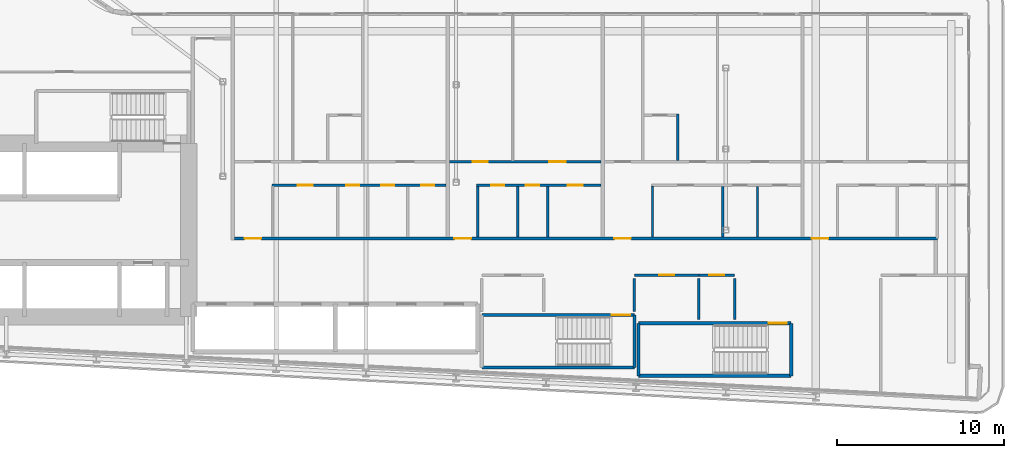
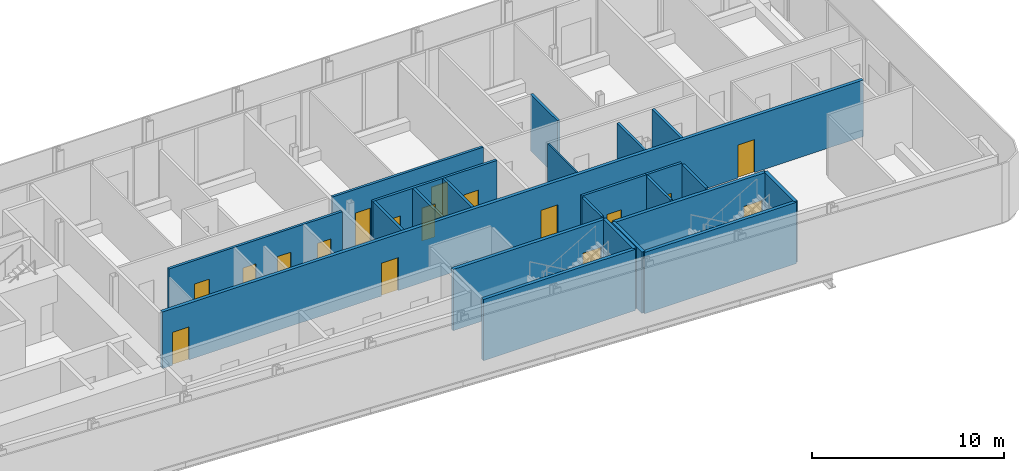
# One storey, part 14 of 27: 23 walls, 17 doors, 17 openings.
"""IFC4 building model written with IfcOpenShell, lengths in metres."""

from ifc_helpers import new_model, si_unit, direction, frame, frame_2d, origin, place, context, subcontext, project, spatial, rectangle, extrude, source, transform, mapped, material, layer, layer_set, type_object, element, fill, save


model = new_model("IFC4")

# Units and contexts
model_context = context("Model", 3, precision=1e-05, world=origin(), true_north=direction((0.0, 1.0)))
body_context = subcontext(model_context, "Body", "Model", "MODEL_VIEW")
ifc_project = project(units=[si_unit("LENGTHUNIT", "METRE"), si_unit("AREAUNIT", "SQUARE_METRE"), si_unit("VOLUMEUNIT", "CUBIC_METRE"), si_unit("PLANEANGLEUNIT", "RADIAN"), si_unit("MASSUNIT", "GRAM", prefix="KILO")], contexts=[model_context])

# Site, building, storey
site_placement = place(None, origin())
site = spatial("IfcSite", under=ifc_project, at=site_placement, CompositionType="ELEMENT")
building_placement = place(site_placement, origin())
building = spatial("IfcBuilding", under=site, at=building_placement, Name="Kheshtan School and Residences Tower", CompositionType="ELEMENT")
storey_placement = place(building_placement, frame((0.0, 0.0, 57.800048828125)))
storey = spatial("IfcBuildingStorey", under=building, at=storey_placement, Name="L13", CompositionType="ELEMENT", Elevation=57.800048828125)

# Wall, openings, doors
ifc_material_1 = material(Name="Gypsum board on steel studs with fire boards", Category="steel")
ifc_layer_1 = layer(ifc_material_1, 0.199951171875)
ifc_layer_set_1 = layer_set([ifc_layer_1], Name="Corridor wall 200")
wall_type_1 = type_object("IfcWallType", Name="Corridor wall 200", PredefinedType="PARTITIONING", material=ifc_layer_set_1)
wall_1_placement = place(storey_placement, frame((55.89990234375, 30.5, 0.0), z_axis=(0.0, 0.0, 1.0), x_axis=(1.0, 0.0, 0.0)))
wall_1 = element("IfcWall", 1, at=wall_1_placement, inside=storey, type_object=wall_type_1, Name="Partition L13-046", PredefinedType="PARTITIONING", context=body_context, shape_type="SweptSolid", body=[
    extrude(rectangle(XDim=42.2001953125, YDim=0.199951171875, at=frame_2d((21.10009765625, 0.0))), origin(), (0.0, 0.0, 1.0), 3.599853515625),
])
opening_1_placement = place(wall_1_placement, frame((0.60009765625, 0.0, 0.0)))
opening_1 = element("IfcOpeningElement", 2, at=opening_1_placement, cuts=wall_1, Name="Opening D12-005", PredefinedType="OPENING", context=body_context, shape_type="SweptSolid", body=[
    extrude(rectangle(XDim=1.0, YDim=2.10009765625, at=frame_2d((0.5, 1.050048828125))), frame((0.0, 0.10986328125, 0.0), z_axis=(0.0, -1.0, 0.0), x_axis=(1.0, 0.0, 0.0)), (0.0, 0.0, 1.0), 0.219970703125),
])
opening_2_placement = place(wall_1_placement, frame((13.199951171875, 0.0, 0.0)))
opening_2 = element("IfcOpeningElement", 3, at=opening_2_placement, cuts=wall_1, Name="Opening D12-012", PredefinedType="OPENING", context=body_context, shape_type="SweptSolid", body=[
    extrude(rectangle(XDim=1.0, YDim=2.10009765625, at=frame_2d((0.5, 1.050048828125))), frame((0.0, 0.10986328125, 0.0), z_axis=(0.0, -1.0, 0.0), x_axis=(1.0, 0.0, 0.0)), (0.0, 0.0, 1.0), 0.219970703125),
])
opening_3_placement = place(wall_1_placement, frame((22.800048828125, 0.0, 0.0)))
opening_3 = element("IfcOpeningElement", 4, at=opening_3_placement, cuts=wall_1, Name="Opening D12-019", PredefinedType="OPENING", context=body_context, shape_type="SweptSolid", body=[
    extrude(rectangle(XDim=1.0, YDim=2.10009765625, at=frame_2d((0.5, 1.050048828125))), frame((0.0, 0.10986328125, 0.0), z_axis=(0.0, -1.0, 0.0), x_axis=(1.0, 0.0, 0.0)), (0.0, 0.0, 1.0), 0.219970703125),
])
opening_4_placement = place(wall_1_placement, frame((34.64990234375, 0.0, 0.0)))
opening_4 = element("IfcOpeningElement", 5, at=opening_4_placement, cuts=wall_1, Name="Opening D12-026", PredefinedType="OPENING", context=body_context, shape_type="SweptSolid", body=[
    extrude(rectangle(XDim=1.0, YDim=2.10009765625, at=frame_2d((0.5, 1.050048828125))), frame((0.0, 0.10986328125, 0.0), z_axis=(0.0, -1.0, 0.0), x_axis=(1.0, 0.0, 0.0)), (0.0, 0.0, 1.0), 0.219970703125),
])
ifc_material_2 = material(Name="Steel-framed fire-resisting door leaf", Category="steel")
door_type_1 = type_object("IfcDoorType", Name="Fire door FD30S 1000 x 2100", OperationType="SINGLE_SWING_LEFT", PredefinedType="DOOR", material=ifc_material_2)
shared_shape_1 = source(origin(), body_context, "Body", "SweptSolid", [
    extrude(rectangle(XDim=1.0, YDim=2.10009765625, at=frame_2d((0.5, 1.050048828125))), frame((0.0, 0.02490234375, 0.0), z_axis=(0.0, -1.0, 0.0), x_axis=(1.0, 0.0, 0.0)), (0.0, 0.0, 1.0), 0.050048828125),
])
door_1_placement = place(opening_1_placement, origin())
door_1 = element("IfcDoor", 6, at=door_1_placement, inside=storey, type_object=door_type_1, Name="Door D12-005", OperationType="SINGLE_SWING_LEFT", OverallHeight=2.10009765625, OverallWidth=1.0, PredefinedType="DOOR", context=body_context, shape_type="MappedRepresentation", body=[
    mapped(shared_shape_1, transform((0.0, 0.0, 0.0), x_axis=(1.0, 0.0, 0.0), y_axis=(0.0, 1.0, 0.0), z_axis=(0.0, 0.0, 1.0), scale=1.0)),
])
fill(opening_1, door_1)
door_2_placement = place(opening_2_placement, origin())
door_2 = element("IfcDoor", 7, at=door_2_placement, inside=storey, type_object=door_type_1, Name="Door D12-012", OperationType="SINGLE_SWING_RIGHT", OverallHeight=2.10009765625, OverallWidth=1.0, PredefinedType="DOOR", context=body_context, shape_type="MappedRepresentation", body=[
    mapped(shared_shape_1, transform((0.0, 0.0, 0.0), x_axis=(1.0, 0.0, 0.0), y_axis=(0.0, 1.0, 0.0), z_axis=(0.0, 0.0, 1.0), scale=1.0)),
])
fill(opening_2, door_2)
door_3_placement = place(opening_3_placement, origin())
door_3 = element("IfcDoor", 8, at=door_3_placement, inside=storey, type_object=door_type_1, Name="Door D12-019", OperationType="SINGLE_SWING_LEFT", OverallHeight=2.10009765625, OverallWidth=1.0, PredefinedType="DOOR", context=body_context, shape_type="MappedRepresentation", body=[
    mapped(shared_shape_1, transform((0.0, 0.0, 0.0), x_axis=(1.0, 0.0, 0.0), y_axis=(0.0, 1.0, 0.0), z_axis=(0.0, 0.0, 1.0), scale=1.0)),
])
fill(opening_3, door_3)
door_4_placement = place(opening_4_placement, origin())
door_4 = element("IfcDoor", 9, at=door_4_placement, inside=storey, type_object=door_type_1, Name="Door D12-026", OperationType="SINGLE_SWING_RIGHT", OverallHeight=2.10009765625, OverallWidth=1.0, PredefinedType="DOOR", context=body_context, shape_type="MappedRepresentation", body=[
    mapped(shared_shape_1, transform((0.0, 0.0, 0.0), x_axis=(1.0, 0.0, 0.0), y_axis=(0.0, 1.0, 0.0), z_axis=(0.0, 0.0, 1.0), scale=1.0)),
])
fill(opening_4, door_4)

# Wall
ifc_material_3 = material(Name="Gypsum board on steel studs", Category="steel")
ifc_layer_2 = layer(ifc_material_3, 0.10009765625)
ifc_layer_set_2 = layer_set([ifc_layer_2], Name="Gypsum partition 100")
wall_type_2 = type_object("IfcWallType", Name="Gypsum partition 100", PredefinedType="PARTITIONING", material=ifc_layer_set_2)
wall_2_placement = place(storey_placement, frame((81.0, 30.60009765625, 0.0), z_axis=(0.0, 0.0, 1.0), x_axis=(0.0, 1.0, 0.0)))
element("IfcWall", 10, at=wall_2_placement, inside=storey, type_object=wall_type_2, Name="Partition L13-069", PredefinedType="PARTITIONING", context=body_context, shape_type="SweptSolid", body=[
    extrude(rectangle(XDim=3.02490234375, YDim=0.10009765625, at=frame_2d((1.512451171875, 0.0))), origin(), (0.0, 0.0, 1.0), 3.599853515625),
])

# Wall, opening, door
ifc_material_4 = material(Name="Fire-board shaft wall system")
ifc_layer_3 = layer(ifc_material_4, 0.14990234375)
ifc_layer_set_3 = layer_set([ifc_layer_3], Name="Service room wall 150")
wall_type_3 = type_object("IfcWallType", Name="Service room wall 150", PredefinedType="PARTITIONING", material=ifc_layer_set_3)
wall_3_placement = place(storey_placement, frame((79.909912109375, 28.300048828125, 0.0), z_axis=(0.0, 0.0, 1.0), x_axis=(1.0, 0.0, 0.0)))
wall_3 = element("IfcWall", 11, at=wall_3_placement, inside=storey, type_object=wall_type_3, Name="Service room wall", PredefinedType="PARTITIONING", context=body_context, shape_type="SweptSolid", body=[
    extrude(rectangle(XDim=3.864990234375, YDim=0.14990234375, at=frame_2d((1.9326171875, 0.0))), origin(), (0.0, 0.0, 1.0), 3.89990234375),
])
opening_5_placement = place(wall_3_placement, frame((1.48193359375, 0.0, 0.0)))
opening_5 = element("IfcOpeningElement", 12, at=opening_5_placement, cuts=wall_3, Name="Opening SR90", PredefinedType="OPENING", context=body_context, shape_type="SweptSolid", body=[
    extrude(rectangle(XDim=0.89990234375, YDim=2.199951171875, at=frame_2d((0.449951171875, 1.10009765625))), frame((0.0, 0.0849609375, 0.0), z_axis=(0.0, -1.0, 0.0), x_axis=(1.0, 0.0, 0.0)), (0.0, 0.0, 1.0), 0.169921875),
])
ifc_material_5 = material(Name="Steel door leaf, galvanised", Category="steel")
door_type_2 = type_object("IfcDoorType", Name="Service room door 900 steel 90 min", OperationType="SINGLE_SWING_LEFT", PredefinedType="DOOR", material=ifc_material_5)
shared_shape_2 = source(origin(), body_context, "Body", "SweptSolid", [
    extrude(rectangle(XDim=0.89990234375, YDim=2.199951171875, at=frame_2d((0.449951171875, 1.10009765625))), frame((0.0, 0.02490234375, 0.0), z_axis=(0.0, -1.0, 0.0), x_axis=(1.0, 0.0, 0.0)), (0.0, 0.0, 1.0), 0.050048828125),
])
door_5_placement = place(opening_5_placement, origin())
door_5 = element("IfcDoor", 13, at=door_5_placement, inside=storey, type_object=door_type_2, Name="Service room door", OperationType="SINGLE_SWING_RIGHT", OverallHeight=2.199951171875, OverallWidth=0.89990234375, PredefinedType="DOOR", context=body_context, shape_type="MappedRepresentation", body=[
    mapped(shared_shape_2, transform((0.0, 0.0, 0.0), x_axis=(1.0, 0.0, 0.0), y_axis=(0.0, 1.0, 0.0), z_axis=(0.0, 0.0, 1.0), scale=1.0)),
])
fill(opening_5, door_5)

# Walls
wall_4_placement = place(storey_placement, frame((79.909912109375, 26.1201171875, 0.0), z_axis=(0.0, 0.0, 1.0), x_axis=(0.0, 1.0, 0.0)))
element("IfcWall", 14, at=wall_4_placement, inside=storey, type_object=wall_type_3, Name="Service room wall", PredefinedType="PARTITIONING", context=body_context, shape_type="SweptSolid", body=[
    extrude(rectangle(XDim=1.98486328125, YDim=0.14990234375, at=frame_2d((0.992431640625, 0.0))), origin(), (0.0, 0.0, 1.0), 3.89990234375),
])
wall_5_placement = place(storey_placement, frame((83.77490234375, 25.6201171875, 0.0), z_axis=(0.0, 0.0, 1.0), x_axis=(0.0, 1.0, 0.0)))
element("IfcWall", 15, at=wall_5_placement, inside=storey, type_object=wall_type_3, Name="Service room wall", PredefinedType="PARTITIONING", context=body_context, shape_type="SweptSolid", body=[
    extrude(rectangle(XDim=2.48486328125, YDim=0.14990234375, at=frame_2d((1.242431640625, 0.0))), origin(), (0.0, 0.0, 1.0), 3.89990234375),
])

# Wall, opening, door
wall_6_placement = place(storey_placement, frame((83.77490234375, 28.300048828125, 0.0), z_axis=(0.0, 0.0, 1.0), x_axis=(1.0, 0.0, 0.0)))
wall_6 = element("IfcWall", 16, at=wall_6_placement, inside=storey, type_object=wall_type_3, Name="Service room wall", PredefinedType="PARTITIONING", context=body_context, shape_type="SweptSolid", body=[
    extrude(rectangle(XDim=2.14501953125, YDim=0.14990234375, at=frame_2d((1.072509765625, 0.0))), origin(), (0.0, 0.0, 1.0), 3.89990234375),
])
opening_6_placement = place(wall_6_placement, frame((0.623046875, 0.0, 0.0)))
opening_6 = element("IfcOpeningElement", 17, at=opening_6_placement, cuts=wall_6, Name="Opening SR90", PredefinedType="OPENING", context=body_context, shape_type="SweptSolid", body=[
    extrude(rectangle(XDim=0.89990234375, YDim=2.199951171875, at=frame_2d((0.449951171875, 1.10009765625))), frame((0.0, 0.0849609375, 0.0), z_axis=(0.0, -1.0, 0.0), x_axis=(1.0, 0.0, 0.0)), (0.0, 0.0, 1.0), 0.169921875),
])
door_6_placement = place(opening_6_placement, origin())
door_6 = element("IfcDoor", 18, at=door_6_placement, inside=storey, type_object=door_type_2, Name="Service room door", OperationType="SINGLE_SWING_LEFT", OverallHeight=2.199951171875, OverallWidth=0.89990234375, PredefinedType="DOOR", context=body_context, shape_type="MappedRepresentation", body=[
    mapped(shared_shape_2, transform((0.0, 0.0, 0.0), x_axis=(1.0, 0.0, 0.0), y_axis=(0.0, 1.0, 0.0), z_axis=(0.0, 0.0, 1.0), scale=1.0)),
])
fill(opening_6, door_6)

# Walls
wall_7_placement = place(storey_placement, frame((85.919921875, 25.6201171875, 0.0), z_axis=(0.0, 0.0, 1.0), x_axis=(0.0, 1.0, 0.0)))
element("IfcWall", 19, at=wall_7_placement, inside=storey, type_object=wall_type_3, Name="Service room wall", PredefinedType="PARTITIONING", context=body_context, shape_type="SweptSolid", body=[
    extrude(rectangle(XDim=2.48486328125, YDim=0.14990234375, at=frame_2d((1.242431640625, 0.0))), origin(), (0.0, 0.0, 1.0), 3.89990234375),
])
ifc_material_6 = material(Name="Concrete C40/50", Category="concrete")
ifc_layer_4 = layer(ifc_material_6, 0.199951171875)
ifc_layer_set_4 = layer_set([ifc_layer_4], Name="Stair enclosure wall 200 Concrete C40/50")
wall_type_4 = type_object("IfcWallType", Name="Stair enclosure wall 200 Concrete C40/50", PredefinedType="SHEAR", material=ifc_layer_set_4)
wall_8_placement = place(storey_placement, frame((80.159912109375, 22.25, 0.0), z_axis=(0.0, 0.0, 1.0), x_axis=(1.0, 0.0, 0.0)))
element("IfcWall", 20, at=wall_8_placement, inside=storey, type_object=wall_type_4, Name="Stair enclosure wall ST4", PredefinedType="SHEAR", context=body_context, shape_type="SweptSolid", body=[
    extrude(rectangle(XDim=9.16015625, YDim=0.199951171875, at=frame_2d((4.580078125, 0.0))), origin(), (0.0, 0.0, 1.0), 3.89990234375),
])

# Wall, opening, door
wall_9_placement = place(storey_placement, frame((80.159912109375, 25.39990234375, 0.0), z_axis=(0.0, 0.0, 1.0), x_axis=(1.0, 0.0, 0.0)))
wall_9 = element("IfcWall", 21, at=wall_9_placement, inside=storey, type_object=wall_type_4, Name="Stair enclosure wall ST4", PredefinedType="SHEAR", context=body_context, shape_type="SweptSolid", body=[
    extrude(rectangle(XDim=9.16015625, YDim=0.199951171875, at=frame_2d((4.580078125, 0.0))), origin(), (0.0, 0.0, 1.0), 3.89990234375),
])
opening_7_placement = place(wall_9_placement, frame((7.81005859375, 0.0, 0.0)))
opening_7 = element("IfcOpeningElement", 22, at=opening_7_placement, cuts=wall_9, Name="Opening ST4D", PredefinedType="OPENING", context=body_context, shape_type="SweptSolid", body=[
    extrude(rectangle(XDim=1.10009765625, YDim=2.199951171875, at=frame_2d((0.550048828125, 1.10009765625))), frame((0.0, 0.10986328125, 0.0), z_axis=(0.0, -1.0, 0.0), x_axis=(1.0, 0.0, 0.0)), (0.0, 0.0, 1.0), 0.219970703125),
])
door_type_3 = type_object("IfcDoorType", Name="Stair door 1100 steel 90 min", OperationType="SINGLE_SWING_LEFT", PredefinedType="DOOR", material=ifc_material_5)
shared_shape_3 = source(origin(), body_context, "Body", "SweptSolid", [
    extrude(rectangle(XDim=1.10009765625, YDim=2.199951171875, at=frame_2d((0.550048828125, 1.10009765625))), frame((0.0, 0.02490234375, 0.0), z_axis=(0.0, -1.0, 0.0), x_axis=(1.0, 0.0, 0.0)), (0.0, 0.0, 1.0), 0.050048828125),
])
door_7_placement = place(opening_7_placement, origin())
door_7 = element("IfcDoor", 23, at=door_7_placement, inside=storey, type_object=door_type_3, Name="Stair ST4 door", OperationType="SINGLE_SWING_LEFT", OverallHeight=2.199951171875, OverallWidth=1.10009765625, PredefinedType="DOOR", context=body_context, shape_type="MappedRepresentation", body=[
    mapped(shared_shape_3, transform((0.0, 0.0, 0.0), x_axis=(1.0, 0.0, 0.0), y_axis=(0.0, 1.0, 0.0), z_axis=(0.0, 0.0, 1.0), scale=1.0)),
])
fill(opening_7, door_7)

# Walls
for number, where, z_axis, x_axis, name in (
    (24, (80.159912109375, 22.25, 0.0), (0.0, 0.0, 1.0), (0.0, 1.0, 0.0), "Stair enclosure wall ST4"),
    (25, (89.320068359375, 22.25, 0.0), (0.0, 0.0, 1.0), (0.0, 1.0, 0.0), "Stair enclosure wall ST4"),
):
    element("IfcWall", number, at=place(storey_placement, frame(where, z_axis=z_axis, x_axis=x_axis)), inside=storey, type_object=wall_type_4, Name=name, PredefinedType="SHEAR", context=body_context, shape_type="SweptSolid", body=[
        extrude(rectangle(XDim=3.14990234375, YDim=0.199951171875, at=frame_2d((1.574951171875, 0.0))), origin(), (0.0, 0.0, 1.0), 3.89990234375),
    ])
wall_10_placement = place(storey_placement, frame((70.75, 22.75, 0.0), z_axis=(0.0, 0.0, 1.0), x_axis=(1.0, 0.0, 0.0)))
element("IfcWall", 26, at=wall_10_placement, inside=storey, type_object=wall_type_4, Name="Stair enclosure wall ST5", PredefinedType="SHEAR", context=body_context, shape_type="SweptSolid", body=[
    extrude(rectangle(XDim=9.159912109375, YDim=0.199951171875, at=frame_2d((4.580078125, 0.0))), origin(), (0.0, 0.0, 1.0), 3.89990234375),
])

# Wall, opening, door
wall_11_placement = place(storey_placement, frame((70.75, 25.89990234375, 0.0), z_axis=(0.0, 0.0, 1.0), x_axis=(1.0, 0.0, 0.0)))
wall_11 = element("IfcWall", 27, at=wall_11_placement, inside=storey, type_object=wall_type_4, Name="Stair enclosure wall ST5", PredefinedType="SHEAR", context=body_context, shape_type="SweptSolid", body=[
    extrude(rectangle(XDim=9.159912109375, YDim=0.199951171875, at=frame_2d((4.580078125, 0.0))), origin(), (0.0, 0.0, 1.0), 3.89990234375),
])
opening_8_placement = place(wall_11_placement, frame((7.81005859375, 0.0, 0.0)))
opening_8 = element("IfcOpeningElement", 28, at=opening_8_placement, cuts=wall_11, Name="Opening ST5D", PredefinedType="OPENING", context=body_context, shape_type="SweptSolid", body=[
    extrude(rectangle(XDim=1.10009765625, YDim=2.199951171875, at=frame_2d((0.550048828125, 1.10009765625))), frame((0.0, 0.10986328125, 0.0), z_axis=(0.0, -1.0, 0.0), x_axis=(1.0, 0.0, 0.0)), (0.0, 0.0, 1.0), 0.219970703125),
])
door_8_placement = place(opening_8_placement, origin())
door_8 = element("IfcDoor", 29, at=door_8_placement, inside=storey, type_object=door_type_3, Name="Stair ST5 door", OperationType="SINGLE_SWING_LEFT", OverallHeight=2.199951171875, OverallWidth=1.10009765625, PredefinedType="DOOR", context=body_context, shape_type="MappedRepresentation", body=[
    mapped(shared_shape_3, transform((0.0, 0.0, 0.0), x_axis=(1.0, 0.0, 0.0), y_axis=(0.0, 1.0, 0.0), z_axis=(0.0, 0.0, 1.0), scale=1.0)),
])
fill(opening_8, door_8)

# Wall
wall_12_placement = place(storey_placement, frame((79.909912109375, 22.75, 0.0), z_axis=(0.0, 0.0, 1.0), x_axis=(0.0, 1.0, 0.0)))
element("IfcWall", 30, at=wall_12_placement, inside=storey, type_object=wall_type_4, Name="Stair enclosure wall ST5", PredefinedType="SHEAR", context=body_context, shape_type="SweptSolid", body=[
    extrude(rectangle(XDim=3.14990234375, YDim=0.199951171875, at=frame_2d((1.574951171875, 0.0))), origin(), (0.0, 0.0, 1.0), 3.89990234375),
])

# Wall, openings, doors
ifc_material_7 = material(Name="Moisture-resistant gypsum board on steel studs", Category="steel")
ifc_layer_5 = layer(ifc_material_7, 0.14990234375)
ifc_layer_set_5 = layer_set([ifc_layer_5], Name="Wet-room partition 150")
wall_type_5 = type_object("IfcWallType", Name="Wet-room partition 150", PredefinedType="PARTITIONING", material=ifc_layer_set_5)
wall_13_placement = place(storey_placement, frame((58.14990234375, 33.699951171875, 0.0), z_axis=(0.0, 0.0, 1.0), x_axis=(1.0, 0.0, 0.0)))
wall_13 = element("IfcWall", 31, at=wall_13_placement, inside=storey, type_object=wall_type_5, Name="Partition L13-048", PredefinedType="PARTITIONING", context=body_context, shape_type="SweptSolid", body=[
    extrude(rectangle(XDim=10.4501953125, YDim=0.14990234375, at=frame_2d((5.22509765625, 0.0))), origin(), (0.0, 0.0, 1.0), 3.599853515625),
])
opening_9_placement = place(wall_13_placement, frame((8.949951171875, 0.0, 0.0)))
opening_9 = element("IfcOpeningElement", 32, at=opening_9_placement, cuts=wall_13, Name="Opening D12-001", PredefinedType="OPENING", context=body_context, shape_type="SweptSolid", body=[
    extrude(rectangle(XDim=0.800048828125, YDim=2.10009765625, at=frame_2d((0.39990234375, 1.050048828125))), frame((0.0, 0.0849609375, 0.0), z_axis=(0.0, -1.0, 0.0), x_axis=(1.0, 0.0, 0.0)), (0.0, 0.0, 1.0), 0.169921875),
])
opening_10_placement = place(wall_13_placement, frame((6.550048828125, 0.0, 0.0)))
opening_10 = element("IfcOpeningElement", 33, at=opening_10_placement, cuts=wall_13, Name="Opening D12-003", PredefinedType="OPENING", context=body_context, shape_type="SweptSolid", body=[
    extrude(rectangle(XDim=0.800048828125, YDim=2.10009765625, at=frame_2d((0.39990234375, 1.050048828125))), frame((0.0, 0.0849609375, 0.0), z_axis=(0.0, -1.0, 0.0), x_axis=(1.0, 0.0, 0.0)), (0.0, 0.0, 1.0), 0.169921875),
])
opening_11_placement = place(wall_13_placement, frame((1.550048828125, 0.0, 0.0)))
opening_11 = element("IfcOpeningElement", 34, at=opening_11_placement, cuts=wall_13, Name="Opening D12-006", PredefinedType="OPENING", context=body_context, shape_type="SweptSolid", body=[
    extrude(rectangle(XDim=0.89990234375, YDim=2.10009765625, at=frame_2d((0.449951171875, 1.050048828125))), frame((0.0, 0.0849609375, 0.0), z_axis=(0.0, -1.0, 0.0), x_axis=(1.0, 0.0, 0.0)), (0.0, 0.0, 1.0), 0.169921875),
])
opening_12_placement = place(wall_13_placement, frame((4.449951171875, 0.0, 0.0)))
opening_12 = element("IfcOpeningElement", 35, at=opening_12_placement, cuts=wall_13, Name="Opening D12-009", PredefinedType="OPENING", context=body_context, shape_type="SweptSolid", body=[
    extrude(rectangle(XDim=0.800048828125, YDim=2.10009765625, at=frame_2d((0.39990234375, 1.050048828125))), frame((0.0, 0.0849609375, 0.0), z_axis=(0.0, -1.0, 0.0), x_axis=(1.0, 0.0, 0.0)), (0.0, 0.0, 1.0), 0.169921875),
])
ifc_material_8 = material(Name="Veneered timber door leaf", Category="wood")
door_type_4 = type_object("IfcDoorType", Name="Door 800 x 2100", OperationType="SINGLE_SWING_LEFT", PredefinedType="DOOR", material=ifc_material_8)
shared_shape_4 = source(origin(), body_context, "Body", "SweptSolid", [
    extrude(rectangle(XDim=0.800048828125, YDim=2.10009765625, at=frame_2d((0.39990234375, 1.050048828125))), frame((0.0, 0.02490234375, 0.0), z_axis=(0.0, -1.0, 0.0), x_axis=(1.0, 0.0, 0.0)), (0.0, 0.0, 1.0), 0.050048828125),
])
door_9_placement = place(opening_9_placement, origin())
door_9 = element("IfcDoor", 36, at=door_9_placement, inside=storey, type_object=door_type_4, Name="Door D12-001", OperationType="SINGLE_SWING_LEFT", OverallHeight=2.10009765625, OverallWidth=0.800048828125, PredefinedType="DOOR", context=body_context, shape_type="MappedRepresentation", body=[
    mapped(shared_shape_4, transform((0.0, 0.0, 0.0), x_axis=(1.0, 0.0, 0.0), y_axis=(0.0, 1.0, 0.0), z_axis=(0.0, 0.0, 1.0), scale=1.0)),
])
fill(opening_9, door_9)
door_10_placement = place(opening_10_placement, origin())
door_10 = element("IfcDoor", 37, at=door_10_placement, inside=storey, type_object=door_type_4, Name="Door D12-003", OperationType="SINGLE_SWING_LEFT", OverallHeight=2.10009765625, OverallWidth=0.800048828125, PredefinedType="DOOR", context=body_context, shape_type="MappedRepresentation", body=[
    mapped(shared_shape_4, transform((0.0, 0.0, 0.0), x_axis=(1.0, 0.0, 0.0), y_axis=(0.0, 1.0, 0.0), z_axis=(0.0, 0.0, 1.0), scale=1.0)),
])
fill(opening_10, door_10)
door_11_placement = place(opening_12_placement, origin())
door_11 = element("IfcDoor", 38, at=door_11_placement, inside=storey, type_object=door_type_4, Name="Door D12-009", OperationType="SINGLE_SWING_LEFT", OverallHeight=2.10009765625, OverallWidth=0.800048828125, PredefinedType="DOOR", context=body_context, shape_type="MappedRepresentation", body=[
    mapped(shared_shape_4, transform((0.0, 0.0, 0.0), x_axis=(1.0, 0.0, 0.0), y_axis=(0.0, 1.0, 0.0), z_axis=(0.0, 0.0, 1.0), scale=1.0)),
])
fill(opening_12, door_11)
door_type_5 = type_object("IfcDoorType", Name="Door 900 x 2100", OperationType="SINGLE_SWING_LEFT", PredefinedType="DOOR", material=ifc_material_8)
shared_shape_5 = source(origin(), body_context, "Body", "SweptSolid", [
    extrude(rectangle(XDim=0.89990234375, YDim=2.10009765625, at=frame_2d((0.449951171875, 1.050048828125))), frame((0.0, 0.02490234375, 0.0), z_axis=(0.0, -1.0, 0.0), x_axis=(1.0, 0.0, 0.0)), (0.0, 0.0, 1.0), 0.050048828125),
])
door_12_placement = place(opening_11_placement, origin())
door_12 = element("IfcDoor", 39, at=door_12_placement, inside=storey, type_object=door_type_5, Name="Door D12-006", OperationType="SINGLE_SWING_LEFT", OverallHeight=2.10009765625, OverallWidth=0.89990234375, PredefinedType="DOOR", context=body_context, shape_type="MappedRepresentation", body=[
    mapped(shared_shape_5, transform((0.0, 0.0, 0.0), x_axis=(1.0, 0.0, 0.0), y_axis=(0.0, 1.0, 0.0), z_axis=(0.0, 0.0, 1.0), scale=1.0)),
])
fill(opening_11, door_12)

wall_14_placement = place(storey_placement, frame((68.800048828125, 35.10009765625, 0.0), z_axis=(0.0, 0.0, 1.0), x_axis=(1.0, 0.0, 0.0)))
wall_14 = element("IfcWall", 40, at=wall_14_placement, inside=storey, type_object=wall_type_5, Name="Partition L13-058", PredefinedType="PARTITIONING", context=body_context, shape_type="SweptSolid", body=[
    extrude(rectangle(XDim=9.099853515625, YDim=0.14990234375, at=frame_2d((4.5498046875, 0.0))), origin(), (0.0, 0.0, 1.0), 3.599853515625),
])
opening_13_placement = place(wall_14_placement, frame((1.39990234375, 0.0, 0.0)))
opening_13 = element("IfcOpeningElement", 41, at=opening_13_placement, cuts=wall_14, Name="Opening D12-011", PredefinedType="OPENING", context=body_context, shape_type="SweptSolid", body=[
    extrude(rectangle(XDim=0.89990234375, YDim=2.10009765625, at=frame_2d((0.449951171875, 1.050048828125))), frame((0.0, 0.0849609375, 0.0), z_axis=(0.0, -1.0, 0.0), x_axis=(1.0, 0.0, 0.0)), (0.0, 0.0, 1.0), 0.169921875),
])
opening_14_placement = place(wall_14_placement, frame((6.0, 0.0, 0.0)))
opening_14 = element("IfcOpeningElement", 42, at=opening_14_placement, cuts=wall_14, Name="Opening D12-014", PredefinedType="OPENING", context=body_context, shape_type="SweptSolid", body=[
    extrude(rectangle(XDim=1.0, YDim=2.10009765625, at=frame_2d((0.5, 1.050048828125))), frame((0.0, 0.0849609375, 0.0), z_axis=(0.0, -1.0, 0.0), x_axis=(1.0, 0.0, 0.0)), (0.0, 0.0, 1.0), 0.169921875),
])
door_type_6 = type_object("IfcDoorType", Name="Door 1000 x 2100", OperationType="SINGLE_SWING_LEFT", PredefinedType="DOOR", material=ifc_material_8)
shared_shape_6 = source(origin(), body_context, "Body", "SweptSolid", [
    extrude(rectangle(XDim=1.0, YDim=2.10009765625, at=frame_2d((0.5, 1.050048828125))), frame((0.0, 0.02490234375, 0.0), z_axis=(0.0, -1.0, 0.0), x_axis=(1.0, 0.0, 0.0)), (0.0, 0.0, 1.0), 0.050048828125),
])
door_13_placement = place(opening_14_placement, origin())
door_13 = element("IfcDoor", 43, at=door_13_placement, inside=storey, type_object=door_type_6, Name="Door D12-014", OperationType="SINGLE_SWING_LEFT", OverallHeight=2.10009765625, OverallWidth=1.0, PredefinedType="DOOR", context=body_context, shape_type="MappedRepresentation", body=[
    mapped(shared_shape_6, transform((0.0, 0.0, 0.0), x_axis=(1.0, 0.0, 0.0), y_axis=(0.0, 1.0, 0.0), z_axis=(0.0, 0.0, 1.0), scale=1.0)),
])
fill(opening_14, door_13)
door_14_placement = place(opening_13_placement, origin())
door_14 = element("IfcDoor", 44, at=door_14_placement, inside=storey, type_object=door_type_5, Name="Door D12-011", OperationType="SINGLE_SWING_RIGHT", OverallHeight=2.10009765625, OverallWidth=0.89990234375, PredefinedType="DOOR", context=body_context, shape_type="MappedRepresentation", body=[
    mapped(shared_shape_5, transform((0.0, 0.0, 0.0), x_axis=(1.0, 0.0, 0.0), y_axis=(0.0, 1.0, 0.0), z_axis=(0.0, 0.0, 1.0), scale=1.0)),
])
fill(opening_13, door_14)

wall_15_placement = place(storey_placement, frame((70.425048828125, 33.699951171875, 0.0), z_axis=(0.0, 0.0, 1.0), x_axis=(1.0, 0.0, 0.0)))
wall_15 = element("IfcWall", 45, at=wall_15_placement, inside=storey, type_object=wall_type_5, Name="Partition L13-059", PredefinedType="PARTITIONING", context=body_context, shape_type="SweptSolid", body=[
    extrude(rectangle(XDim=7.474853515625, YDim=0.14990234375, at=frame_2d((3.7373046875, 0.0))), origin(), (0.0, 0.0, 1.0), 3.599853515625),
])
opening_15_placement = place(wall_15_placement, frame((0.875, 0.0, 0.0)))
opening_15 = element("IfcOpeningElement", 46, at=opening_15_placement, cuts=wall_15, Name="Opening D12-010", PredefinedType="OPENING", context=body_context, shape_type="SweptSolid", body=[
    extrude(rectangle(XDim=0.800048828125, YDim=2.10009765625, at=frame_2d((0.39990234375, 1.050048828125))), frame((0.0, 0.0849609375, 0.0), z_axis=(0.0, -1.0, 0.0), x_axis=(1.0, 0.0, 0.0)), (0.0, 0.0, 1.0), 0.169921875),
])
opening_16_placement = place(wall_15_placement, frame((5.47509765625, 0.0, 0.0)))
opening_16 = element("IfcOpeningElement", 47, at=opening_16_placement, cuts=wall_15, Name="Opening D12-013", PredefinedType="OPENING", context=body_context, shape_type="SweptSolid", body=[
    extrude(rectangle(XDim=0.89990234375, YDim=2.10009765625, at=frame_2d((0.449951171875, 1.050048828125))), frame((0.0, 0.0849609375, 0.0), z_axis=(0.0, -1.0, 0.0), x_axis=(1.0, 0.0, 0.0)), (0.0, 0.0, 1.0), 0.169921875),
])
opening_17_placement = place(wall_15_placement, frame((2.97509765625, 0.0, 0.0)))
opening_17 = element("IfcOpeningElement", 48, at=opening_17_placement, cuts=wall_15, Name="Opening D12-015", PredefinedType="OPENING", context=body_context, shape_type="SweptSolid", body=[
    extrude(rectangle(XDim=0.800048828125, YDim=2.10009765625, at=frame_2d((0.39990234375, 1.050048828125))), frame((0.0, 0.0849609375, 0.0), z_axis=(0.0, -1.0, 0.0), x_axis=(1.0, 0.0, 0.0)), (0.0, 0.0, 1.0), 0.169921875),
])
door_15_placement = place(opening_15_placement, origin())
door_15 = element("IfcDoor", 49, at=door_15_placement, inside=storey, type_object=door_type_4, Name="Door D12-010", OperationType="SINGLE_SWING_RIGHT", OverallHeight=2.10009765625, OverallWidth=0.800048828125, PredefinedType="DOOR", context=body_context, shape_type="MappedRepresentation", body=[
    mapped(shared_shape_4, transform((0.0, 0.0, 0.0), x_axis=(1.0, 0.0, 0.0), y_axis=(0.0, 1.0, 0.0), z_axis=(0.0, 0.0, 1.0), scale=1.0)),
])
fill(opening_15, door_15)
door_16_placement = place(opening_17_placement, origin())
door_16 = element("IfcDoor", 50, at=door_16_placement, inside=storey, type_object=door_type_4, Name="Door D12-015", OperationType="SINGLE_SWING_LEFT", OverallHeight=2.10009765625, OverallWidth=0.800048828125, PredefinedType="DOOR", context=body_context, shape_type="MappedRepresentation", body=[
    mapped(shared_shape_4, transform((0.0, 0.0, 0.0), x_axis=(1.0, 0.0, 0.0), y_axis=(0.0, 1.0, 0.0), z_axis=(0.0, 0.0, 1.0), scale=1.0)),
])
fill(opening_17, door_16)
door_17_placement = place(opening_16_placement, origin())
door_17 = element("IfcDoor", 51, at=door_17_placement, inside=storey, type_object=door_type_5, Name="Door D12-013", OperationType="SINGLE_SWING_RIGHT", OverallHeight=2.10009765625, OverallWidth=0.89990234375, PredefinedType="DOOR", context=body_context, shape_type="MappedRepresentation", body=[
    mapped(shared_shape_5, transform((0.0, 0.0, 0.0), x_axis=(1.0, 0.0, 0.0), y_axis=(0.0, 1.0, 0.0), z_axis=(0.0, 0.0, 1.0), scale=1.0)),
])
fill(opening_16, door_17)

# Walls
for number, where, z_axis, x_axis, name in (
    (52, (70.5, 30.60009765625, 0.0), (0.0, 0.0, 1.0), (0.0, 1.0, 0.0), "Partition L13-060"),
    (53, (72.89990234375, 30.60009765625, 0.0), (0.0, 0.0, 1.0), (0.0, 1.0, 0.0), "Partition L13-062"),
    (54, (74.699951171875, 30.60009765625, 0.0), (0.0, 0.0, 1.0), (0.0, 1.0, 0.0), "Partition L13-063"),
):
    element("IfcWall", number, at=place(storey_placement, frame(where, z_axis=z_axis, x_axis=x_axis)), inside=storey, type_object=wall_type_5, Name=name, PredefinedType="PARTITIONING", context=body_context, shape_type="SweptSolid", body=[
        extrude(rectangle(XDim=3.02490234375, YDim=0.14990234375, at=frame_2d((1.512451171875, 0.0))), origin(), (0.0, 0.0, 1.0), 3.599853515625),
    ])
wall_16_placement = place(storey_placement, frame((82.5, 35.175048828125, 0.0), z_axis=(0.0, 0.0, 1.0), x_axis=(0.0, 1.0, 0.0)))
element("IfcWall", 55, at=wall_16_placement, inside=storey, type_object=wall_type_5, Name="Partition L13-070", PredefinedType="PARTITIONING", context=body_context, shape_type="SweptSolid", body=[
    extrude(rectangle(XDim=2.800048828125, YDim=0.14990234375, at=frame_2d((1.39990234375, 0.0))), origin(), (0.0, 0.0, 1.0), 3.599853515625),
])
wall_17_placement = place(storey_placement, frame((85.199951171875, 30.60009765625, 0.0), z_axis=(0.0, 0.0, 1.0), x_axis=(0.0, 1.0, 0.0)))
element("IfcWall", 56, at=wall_17_placement, inside=storey, type_object=wall_type_5, Name="Partition L13-072", PredefinedType="PARTITIONING", context=body_context, shape_type="SweptSolid", body=[
    extrude(rectangle(XDim=3.02490234375, YDim=0.14990234375, at=frame_2d((1.512451171875, 0.0))), origin(), (0.0, 0.0, 1.0), 3.447021484375),
])
wall_18_placement = place(storey_placement, frame((87.300048828125, 30.60009765625, 0.0), z_axis=(0.0, 0.0, 1.0), x_axis=(0.0, 1.0, 0.0)))
element("IfcWall", 57, at=wall_18_placement, inside=storey, type_object=wall_type_5, Name="Partition L13-073", PredefinedType="PARTITIONING", context=body_context, shape_type="SweptSolid", body=[
    extrude(rectangle(XDim=3.02490234375, YDim=0.14990234375, at=frame_2d((1.512451171875, 0.0))), origin(), (0.0, 0.0, 1.0), 3.599853515625),
])

save(model, "model.ifc")
